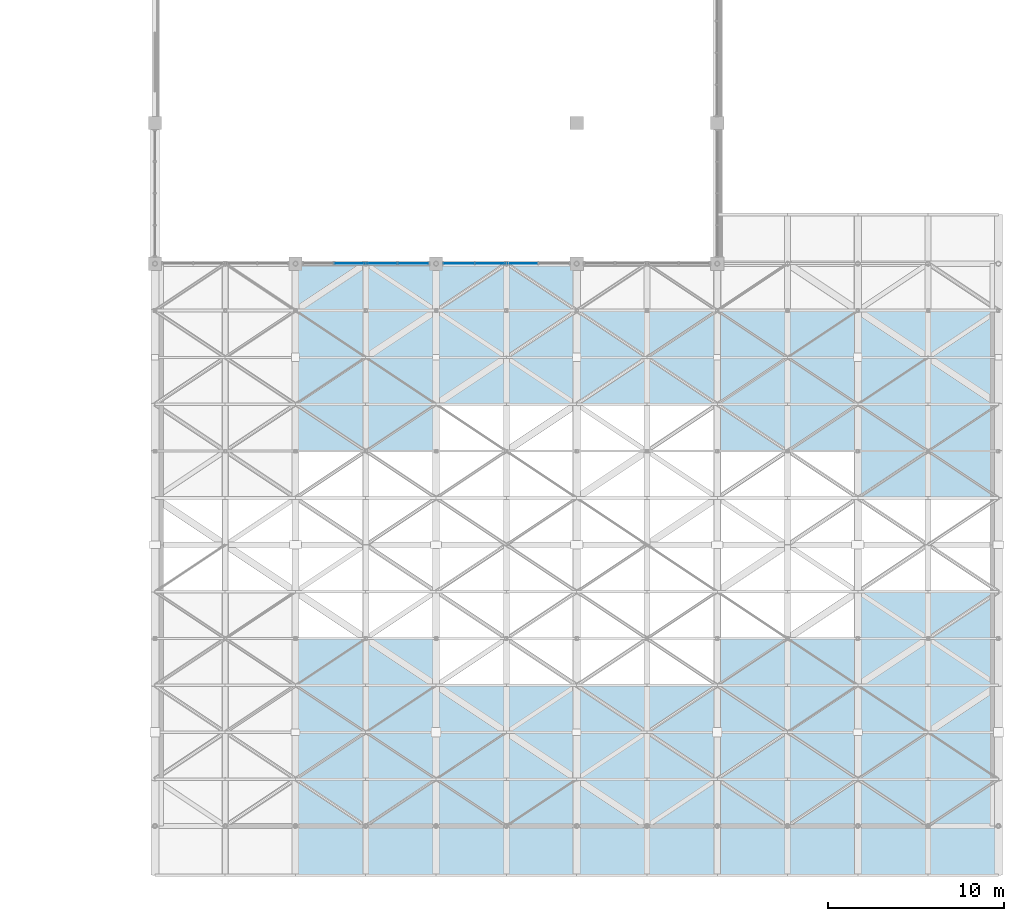
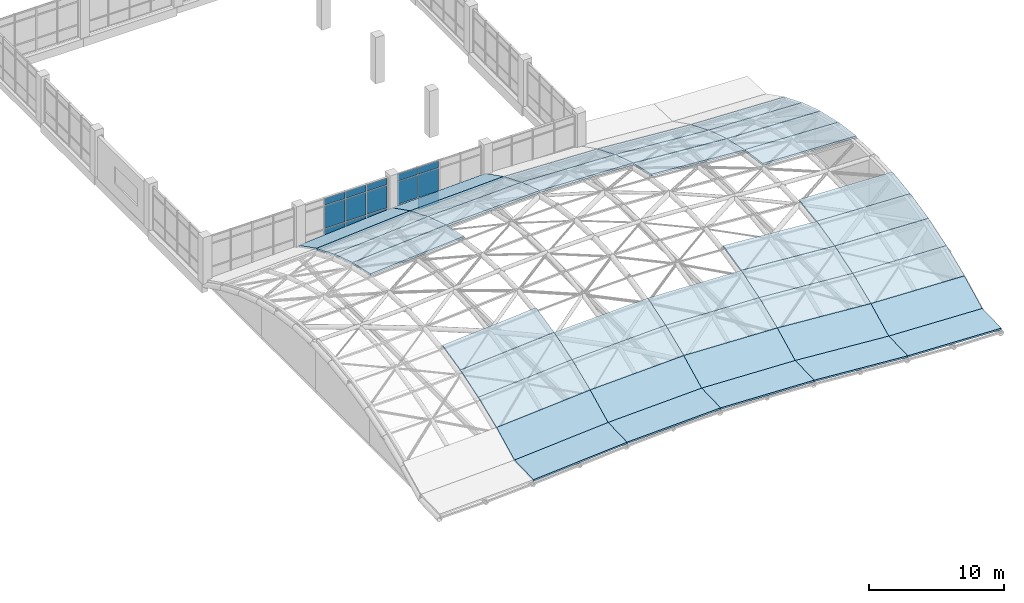
# One storey, part 58 of 72: 40 slabs, 16 plates, 2 elements without a shape of their own.
"""IFC4 building model written with IfcOpenShell, lengths in metres."""

from ifc_helpers import new_model, si_unit, direction, frame, origin, origin_2d, place, context, subcontext, project, spatial, polyline, rectangle, outline, extrude, material, layer, layer_set, type_object, element, aggregate, save


model = new_model("IFC4")

# Units and contexts
model_context = context("Model", 3, precision=1e-05, world=origin(), true_north=direction((0.0, 1.0)))
body_context = subcontext(model_context, "Body", "Model", "MODEL_VIEW")
ifc_project = project(units=[si_unit("LENGTHUNIT", "METRE"), si_unit("AREAUNIT", "SQUARE_METRE"), si_unit("VOLUMEUNIT", "CUBIC_METRE"), si_unit("PLANEANGLEUNIT", "RADIAN"), si_unit("MASSUNIT", "GRAM", prefix="KILO")], contexts=[model_context])

# Site, building, storey
site_placement = place(None, origin())
site = spatial("IfcSite", under=ifc_project, at=site_placement, CompositionType="ELEMENT")
building_placement = place(site_placement, origin())
building = spatial("IfcBuilding", under=site, at=building_placement, Name="Tenunan Teduh Sports Hall", CompositionType="ELEMENT")
storey_placement = place(building_placement, frame((0.0, 0.0, 15.0)))
storey = spatial("IfcBuildingStorey", under=building, at=storey_placement, Name="L03", CompositionType="ELEMENT", Elevation=15.0)

# Curtain wall, plates
ifc_material_1 = material(Name="Anodised aluminium", Category="aluminium")
curtain_wall_type = type_object("IfcCurtainWallType", Name="CW-CLER-1", PredefinedType="NOTDEFINED", material=ifc_material_1)
curtain_wall_1_placement = place(storey_placement, origin())
curtain_wall_1 = element("IfcCurtainWall", 1, at=curtain_wall_1_placement, inside=storey, type_object=curtain_wall_type, Name="CW-CWM-220-L03-141", PredefinedType="NOTDEFINED")
ifc_material_2 = material(Name="Solar-control laminated glazing", Category="glass")
ifc_layer_1 = layer(ifc_material_2, 0.031982421875)
ifc_layer_set_1 = layer_set([ifc_layer_1], Name="Solar-control laminated glazing")
plate_type_1 = type_object("IfcPlateType", Name="CWP-GLZ-32", PredefinedType="CURTAIN_PANEL", material=ifc_layer_set_1)
plate_1_placement = place(storey_placement, frame((133.09375, 46.0, 1.137451171875), z_axis=(0.0, 0.0, 1.0), x_axis=(1.0, 0.0, 0.0)))
plate_1 = element("IfcPlate", 2, at=plate_1_placement, type_object=plate_type_1, Name="CW-03 panel 2.2", PredefinedType="CURTAIN_PANEL", context=body_context, shape_type="SweptSolid", body=[
    extrude(rectangle(XDim=1.737548828125, YDim=0.031982421875, at=origin_2d()), origin(), (0.0, 0.0, 1.0), 2.02490234375),
])
plate_2_placement = place(storey_placement, frame((133.09375, 46.0, 3.237548828125), z_axis=(0.0, 0.0, 1.0), x_axis=(1.0, 0.0, 0.0)))
plate_2 = element("IfcPlate", 3, at=plate_2_placement, type_object=plate_type_1, Name="CW-03 panel 2.3", PredefinedType="CURTAIN_PANEL", context=body_context, shape_type="SweptSolid", body=[
    extrude(rectangle(XDim=1.737548828125, YDim=0.031982421875, at=origin_2d()), origin(), (0.0, 0.0, 1.0), 0.607421875),
])
plate_3_placement = place(storey_placement, frame((134.90625, 46.0, 1.137451171875), z_axis=(0.0, 0.0, 1.0), x_axis=(1.0, 0.0, 0.0)))
plate_3 = element("IfcPlate", 4, at=plate_3_placement, type_object=plate_type_1, Name="CW-03 panel 3.2", PredefinedType="CURTAIN_PANEL", context=body_context, shape_type="SweptSolid", body=[
    extrude(rectangle(XDim=1.737548828125, YDim=0.031982421875, at=origin_2d()), origin(), (0.0, 0.0, 1.0), 2.02490234375),
])
plate_4_placement = place(storey_placement, frame((134.90625, 46.0, 3.237548828125), z_axis=(0.0, 0.0, 1.0), x_axis=(1.0, 0.0, 0.0)))
plate_4 = element("IfcPlate", 5, at=plate_4_placement, type_object=plate_type_1, Name="CW-03 panel 3.3", PredefinedType="CURTAIN_PANEL", context=body_context, shape_type="SweptSolid", body=[
    extrude(rectangle(XDim=1.737548828125, YDim=0.031982421875, at=origin_2d()), origin(), (0.0, 0.0, 1.0), 0.607421875),
])
plate_5_placement = place(storey_placement, frame((136.699951171875, 46.0, 1.137451171875), z_axis=(0.0, 0.0, 1.0), x_axis=(1.0, 0.0, 0.0)))
plate_5 = element("IfcPlate", 6, at=plate_5_placement, type_object=plate_type_1, Name="CW-03 panel 4.2", PredefinedType="CURTAIN_PANEL", context=body_context, shape_type="SweptSolid", body=[
    extrude(rectangle(XDim=1.699951171875, YDim=0.031982421875, at=origin_2d()), origin(), (0.0, 0.0, 1.0), 2.02490234375),
])
plate_6_placement = place(storey_placement, frame((136.699951171875, 46.0, 3.237548828125), z_axis=(0.0, 0.0, 1.0), x_axis=(1.0, 0.0, 0.0)))
plate_6 = element("IfcPlate", 7, at=plate_6_placement, type_object=plate_type_1, Name="CW-03 panel 4.3", PredefinedType="CURTAIN_PANEL", context=body_context, shape_type="SweptSolid", body=[
    extrude(rectangle(XDim=1.699951171875, YDim=0.031982421875, at=origin_2d()), origin(), (0.0, 0.0, 1.0), 0.607421875),
])

curtain_wall_2_placement = place(storey_placement, origin())
curtain_wall_2 = element("IfcCurtainWall", 8, at=curtain_wall_2_placement, inside=storey, type_object=curtain_wall_type, Name="CW-CWM-150-L03-143", PredefinedType="NOTDEFINED")
plate_7_placement = place(storey_placement, frame((139.296142578125, 46.0, 1.1298828125), z_axis=(0.0, 0.0, 1.0), x_axis=(1.0, 0.0, 0.0)))
plate_7 = element("IfcPlate", 9, at=plate_7_placement, type_object=plate_type_1, Name="CW-03 panel 1.2", PredefinedType="CURTAIN_PANEL", context=body_context, shape_type="SweptSolid", body=[
    extrude(rectangle(XDim=1.722412109375, YDim=0.031982421875, at=origin_2d()), origin(), (0.0, 0.0, 1.0), 2.0400390625),
])
plate_8_placement = place(storey_placement, frame((139.296142578125, 46.0, 3.22998046875), z_axis=(0.0, 0.0, 1.0), x_axis=(1.0, 0.0, 0.0)))
plate_8 = element("IfcPlate", 10, at=plate_8_placement, type_object=plate_type_1, Name="CW-03 panel 1.3", PredefinedType="CURTAIN_PANEL", context=body_context, shape_type="SweptSolid", body=[
    extrude(rectangle(XDim=1.722412109375, YDim=0.031982421875, at=origin_2d()), origin(), (0.0, 0.0, 1.0), 0.6298828125),
])
plate_9_placement = place(storey_placement, frame((141.09375, 46.0, 1.1298828125), z_axis=(0.0, 0.0, 1.0), x_axis=(1.0, 0.0, 0.0)))
plate_9 = element("IfcPlate", 11, at=plate_9_placement, type_object=plate_type_1, Name="CW-03 panel 2.2", PredefinedType="CURTAIN_PANEL", context=body_context, shape_type="SweptSolid", body=[
    extrude(rectangle(XDim=1.75244140625, YDim=0.031982421875, at=origin_2d()), origin(), (0.0, 0.0, 1.0), 2.0400390625),
])
plate_10_placement = place(storey_placement, frame((141.09375, 46.0, 3.22998046875), z_axis=(0.0, 0.0, 1.0), x_axis=(1.0, 0.0, 0.0)))
plate_10 = element("IfcPlate", 12, at=plate_10_placement, type_object=plate_type_1, Name="CW-03 panel 2.3", PredefinedType="CURTAIN_PANEL", context=body_context, shape_type="SweptSolid", body=[
    extrude(rectangle(XDim=1.75244140625, YDim=0.031982421875, at=origin_2d()), origin(), (0.0, 0.0, 1.0), 0.6298828125),
])

# Plate
ifc_material_3 = material(Name="Insulated aluminium spandrel panel", Category="aluminium")
ifc_layer_2 = layer(ifc_material_3, 0.044921875)
ifc_layer_set_2 = layer_set([ifc_layer_2], Name="Insulated aluminium spandrel panel")
plate_type_2 = type_object("IfcPlateType", Name="CWP-SPN-45", PredefinedType="CURTAIN_PANEL", material=ifc_layer_set_2)
plate_11_placement = place(storey_placement, frame((133.09375, 46.0, 0.0751953125), z_axis=(0.0, 0.0, 1.0), x_axis=(1.0, 0.0, 0.0)))
plate_11 = element("IfcPlate", 13, at=plate_11_placement, type_object=plate_type_2, Name="CW-03 panel 2.1", PredefinedType="CURTAIN_PANEL", context=body_context, shape_type="SweptSolid", body=[
    extrude(rectangle(XDim=1.737548828125, YDim=0.031982421875, at=origin_2d()), origin(), (0.0, 0.0, 1.0), 0.987548828125),
])

plate_12_placement = place(storey_placement, frame((134.90625, 46.0, 0.0751953125), z_axis=(0.0, 0.0, 1.0), x_axis=(1.0, 0.0, 0.0)))
plate_12 = element("IfcPlate", 14, at=plate_12_placement, type_object=plate_type_2, Name="CW-03 panel 3.1", PredefinedType="CURTAIN_PANEL", context=body_context, shape_type="SweptSolid", body=[
    extrude(rectangle(XDim=1.737548828125, YDim=0.031982421875, at=origin_2d()), origin(), (0.0, 0.0, 1.0), 0.987548828125),
])

plate_13_placement = place(storey_placement, frame((136.699951171875, 46.0, 0.0751953125), z_axis=(0.0, 0.0, 1.0), x_axis=(1.0, 0.0, 0.0)))
plate_13 = element("IfcPlate", 15, at=plate_13_placement, type_object=plate_type_2, Name="CW-03 panel 4.1", PredefinedType="CURTAIN_PANEL", context=body_context, shape_type="SweptSolid", body=[
    extrude(rectangle(XDim=1.699951171875, YDim=0.031982421875, at=origin_2d()), origin(), (0.0, 0.0, 1.0), 0.987548828125),
])

aggregate(curtain_wall_1, [plate_11, plate_1, plate_2, plate_12, plate_3, plate_4, plate_13, plate_5, plate_6])

plate_14_placement = place(storey_placement, frame((139.296142578125, 46.0, 0.06005859375), z_axis=(0.0, 0.0, 1.0), x_axis=(1.0, 0.0, 0.0)))
plate_14 = element("IfcPlate", 16, at=plate_14_placement, type_object=plate_type_2, Name="CW-03 panel 1.1", PredefinedType="CURTAIN_PANEL", context=body_context, shape_type="SweptSolid", body=[
    extrude(rectangle(XDim=1.722412109375, YDim=0.031982421875, at=origin_2d()), origin(), (0.0, 0.0, 1.0), 1.010009765625),
])

plate_15_placement = place(storey_placement, frame((141.09375, 46.0, 0.06005859375), z_axis=(0.0, 0.0, 1.0), x_axis=(1.0, 0.0, 0.0)))
plate_15 = element("IfcPlate", 17, at=plate_15_placement, type_object=plate_type_2, Name="CW-03 panel 2.1", PredefinedType="CURTAIN_PANEL", context=body_context, shape_type="SweptSolid", body=[
    extrude(rectangle(XDim=1.75244140625, YDim=0.031982421875, at=origin_2d()), origin(), (0.0, 0.0, 1.0), 1.010009765625),
])

plate_16_placement = place(storey_placement, frame((142.90625, 46.0, 0.06005859375), z_axis=(0.0, 0.0, 1.0), x_axis=(1.0, 0.0, 0.0)))
plate_16 = element("IfcPlate", 18, at=plate_16_placement, type_object=plate_type_2, Name="CW-03 panel 3.1", PredefinedType="CURTAIN_PANEL", context=body_context, shape_type="SweptSolid", body=[
    extrude(rectangle(XDim=1.75244140625, YDim=0.031982421875, at=origin_2d()), origin(), (0.0, 0.0, 1.0), 1.010009765625),
])

aggregate(curtain_wall_2, [plate_14, plate_7, plate_8, plate_15, plate_9, plate_10, plate_16])

# Slabs
ifc_material_4 = material(Name="Concrete C40/50", Category="concrete")
ifc_layer_3 = layer(ifc_material_4, 0.14501953125)
ifc_layer_set_3 = layer_set([ifc_layer_3], Name="Concrete C40/50")
slab_type_1 = type_object("IfcSlabType", Name="SLB-ROOF-145", PredefinedType="ROOF", material=ifc_layer_set_3)
slab_1_placement = place(storey_placement, frame((130.0, 14.0, 0.37109375), z_axis=(-0.066593724034, -0.449024547345, 0.891034360617), x_axis=(0.997218795223, 0.0, 0.0745296884)))
element("IfcSlab", 19, at=slab_1_placement, inside=storey, type_object=slab_type_1, Name="Doubly-Curved Gridshell Roof Facet V1-2-2", PredefinedType="ROOF", context=body_context, shape_type="SweptSolid", body=[
    extrude(outline(polyline([(0.0, 0.0), (8.02231169159548, 0.0), (8.122479156108142, 2.9848172569310627), (0.10016746451266137, 2.9848172569310627), (0.0, 0.0)])), origin(), (0.0, 0.0, -1.0), 0.14501953125),
])
slab_2_placement = place(storey_placement, frame((130.0, 19.3330078125, 2.81591796875), z_axis=(-0.070996279753, -0.304859852354, 0.949747334128), x_axis=(0.997217559056, 4.40573e-06, 0.074546226542)))
element("IfcSlab", 20, at=slab_2_placement, inside=storey, type_object=slab_type_1, Name="Doubly-Curved Gridshell Roof Facet V1-2-4", PredefinedType="ROOF", context=body_context, shape_type="SweptSolid", body=[
    extrude(outline(polyline([(0.0, 0.0), (8.022329890176739, 0.0), (8.086150006985353, 2.8002565501720973), (0.06383831657095372, 2.800330771677231), (0.0, 0.0)])), origin(), (0.0, 0.0, -1.0), 0.14501953125),
])
slab_3_placement = place(storey_placement, frame((130.0, 35.3330078125, 4.281005859375), z_axis=(-0.072670108545, 0.221989133703, 0.972337328216), x_axis=(0.997218795223, 0.0, 0.0745296884)))
element("IfcSlab", 21, at=slab_3_placement, inside=storey, type_object=slab_type_1, Name="Doubly-Curved Gridshell Roof Facet V1-2-10", PredefinedType="ROOF", context=body_context, shape_type="SweptSolid", body=[
    extrude(outline(polyline([(0.0, 0.0), (8.02231169159548, 0.0), (7.9769315541759385, 2.7352387478214695), (-0.04538013741954177, 2.7352387478214695), (0.0, 0.0)])), origin(), (0.0, 0.0, -1.0), 0.14501953125),
])
slab_4_placement = place(storey_placement, frame((130.0, 40.6669921875, 2.81591796875), z_axis=(-0.068928890343, 0.380784736, 0.922090989494), x_axis=(0.997217500165, -5.342725e-06, 0.074547014263)))
element("IfcSlab", 22, at=slab_4_placement, inside=storey, type_object=slab_type_1, Name="Doubly-Curved Gridshell Roof Facet V1-2-12", PredefinedType="ROOF", context=body_context, shape_type="SweptSolid", body=[
    extrude(outline(polyline([(0.0, 0.0), (8.022329890224817, 0.0), (7.94023385094595, 2.883273135796373), (-0.08207783932421477, 2.8831804295380072), (0.0, 0.0)])), origin(), (0.0, 0.0, -1.0), 0.14501953125),
])
slab_5_placement = place(storey_placement, frame((138.0, 14.0, 0.968994140625), z_axis=(-0.033588568539, -0.449508913061, 0.892644131299), x_axis=(0.999292811149, 0.0, 0.037601563603)))
element("IfcSlab", 23, at=slab_5_placement, inside=storey, type_object=slab_type_1, Name="Doubly-Curved Gridshell Roof Facet V1-3-2", PredefinedType="ROOF", context=body_context, shape_type="SweptSolid", body=[
    extrude(outline(polyline([(0.0, 0.0), (8.00566151456586, 0.0), (8.056161075449836, 2.985631145618846), (0.05049956088397568, 2.985631145618846), (0.0, 0.0)])), origin(), (0.0, 0.0, -1.0), 0.14501953125),
])
slab_6_placement = place(storey_placement, frame((138.0, 19.3330078125, 3.4140625), z_axis=(-0.035805169817, -0.305395628727, 0.951552152942), x_axis=(0.999292811149, 0.0, 0.037601563603)))
element("IfcSlab", 24, at=slab_6_placement, inside=storey, type_object=slab_type_1, Name="Doubly-Curved Gridshell Roof Facet V1-3-4", PredefinedType="ROOF", context=body_context, shape_type="SweptSolid", body=[
    extrude(outline(polyline([(0.0, 0.0), (8.00566151456586, 0.0), (8.037846837317945, 2.8007987918684365), (0.03218532275208485, 2.8007987918684365), (0.0, 0.0)])), origin(), (0.0, 0.0, -1.0), 0.14501953125),
])
slab_7_placement = place(storey_placement, frame((138.0, 40.6669921875, 3.4140625), z_axis=(-0.034753255978, 0.381787120903, 0.923596668201), x_axis=(0.999292811149, 0.0, 0.037601563603)))
element("IfcSlab", 25, at=slab_7_placement, inside=storey, type_object=slab_type_1, Name="Doubly-Curved Gridshell Roof Facet V1-3-12", PredefinedType="ROOF", context=body_context, shape_type="SweptSolid", body=[
    extrude(outline(polyline([(0.0, 0.0), (8.00566151456586, 0.0), (7.964222682020821, 2.8845169544232503), (-0.041438832545040216, 2.8845169544232503), (0.0, 0.0)])), origin(), (0.0, 0.0, -1.0), 0.14501953125),
])
slab_8_placement = place(storey_placement, frame((146.0, 14.0, 1.27001953125), z_axis=(0.033588568539, -0.449508913061, 0.892644131299), x_axis=(0.999292811149, 0.0, -0.037601563603)))
element("IfcSlab", 26, at=slab_8_placement, inside=storey, type_object=slab_type_1, Name="Doubly-Curved Gridshell Roof Facet V1-4-2", PredefinedType="ROOF", context=body_context, shape_type="SweptSolid", body=[
    extrude(outline(polyline([(0.0, 0.0), (8.00566151456586, 0.0), (7.955161953681885, 2.9856311456188456), (-0.05049956088397568, 2.985631145618846), (0.0, 0.0)])), origin(), (0.0, 0.0, -1.0), 0.14501953125),
])
slab_9_placement = place(storey_placement, frame((146.0, 19.3330078125, 3.715087890625), z_axis=(0.035808978203, -0.305079648533, 0.951653363957), x_axis=(0.999292811149, 0.0, -0.037601563603)))
element("IfcSlab", 27, at=slab_9_placement, inside=storey, type_object=slab_type_1, Name="Doubly-Curved Gridshell Roof Facet V1-4-4", PredefinedType="ROOF", context=body_context, shape_type="SweptSolid", body=[
    extrude(outline(polyline([(0.0, 0.0), (8.00566151456586, 0.0), (7.973512912090731, 2.8005009190301835), (-0.03214860247512867, 2.8005009190301835), (0.0, 0.0)])), origin(), (0.0, 0.0, -1.0), 0.14501953125),
])
slab_10_placement = place(storey_placement, frame((146.0, 40.6669921875, 3.715087890625), z_axis=(0.034753255978, 0.381787120903, 0.923596668201), x_axis=(0.999292811149, 0.0, -0.037601563603)))
element("IfcSlab", 28, at=slab_10_placement, inside=storey, type_object=slab_type_1, Name="Doubly-Curved Gridshell Roof Facet V1-4-12", PredefinedType="ROOF", context=body_context, shape_type="SweptSolid", body=[
    extrude(outline(polyline([(0.0, 0.0), (8.00566151456586, 0.0), (8.0471003471109, 2.8845169544232503), (0.041438832545040216, 2.8845169544232503), (0.0, 0.0)])), origin(), (0.0, 0.0, -1.0), 0.14501953125),
])
slab_11_placement = place(storey_placement, frame((154.0, 14.0, 0.968994140625), z_axis=(0.06660347873, -0.448764006287, 0.891164879964), x_axis=(0.997218795223, 0.0, -0.0745296884)))
element("IfcSlab", 29, at=slab_11_placement, inside=storey, type_object=slab_type_1, Name="Doubly-Curved Gridshell Roof Facet V1-5-2", PredefinedType="ROOF", context=body_context, shape_type="SweptSolid", body=[
    extrude(outline(polyline([(0.0, 0.0), (8.02231169159548, -5.551115123125783e-17), (7.922217009981647, 2.9843801028105323), (-0.10009468161383292, 2.9843801028105323), (0.0, 0.0)])), origin(), (0.0, 0.0, -1.0), 0.14501953125),
])
slab_12_placement = place(storey_placement, frame((154.0, 19.3330078125, 3.4140625), z_axis=(0.070996279753, -0.304859852354, 0.949747334128), x_axis=(0.997217559056, -4.40573e-06, -0.074546226542)))
element("IfcSlab", 30, at=slab_12_placement, inside=storey, type_object=slab_type_1, Name="Doubly-Curved Gridshell Roof Facet V1-5-4", PredefinedType="ROOF", context=body_context, shape_type="SweptSolid", body=[
    extrude(outline(polyline([(0.0, 0.0), (8.022329890176739, 0.0), (7.9584915736057855, 2.800330771677231), (-0.0638201168086144, 2.8002565501720973), (0.0, 0.0)])), origin(), (0.0, 0.0, -1.0), 0.14501953125),
])
slab_13_placement = place(storey_placement, frame((154.0, 35.3330078125, 4.87890625), z_axis=(0.072670108545, 0.221989133703, 0.972337328216), x_axis=(0.997218795223, 0.0, -0.0745296884)))
element("IfcSlab", 31, at=slab_13_placement, inside=storey, type_object=slab_type_1, Name="Doubly-Curved Gridshell Roof Facet V1-5-10", PredefinedType="ROOF", context=body_context, shape_type="SweptSolid", body=[
    extrude(outline(polyline([(0.0, 0.0), (8.02231169159548, 0.0), (8.067691829015022, 2.73523874782147), (0.04538013741954177, 2.7352387478214695), (0.0, 0.0)])), origin(), (0.0, 0.0, -1.0), 0.14501953125),
])
slab_14_placement = place(storey_placement, frame((154.0, 40.6669921875, 3.4140625), z_axis=(0.068920022853, 0.381073468029, 0.92197236532), x_axis=(0.997217499916, 5.346089e-06, -0.074547017591)))
element("IfcSlab", 32, at=slab_14_placement, inside=storey, type_object=slab_type_1, Name="Doubly-Curved Gridshell Roof Facet V1-5-12", PredefinedType="ROOF", context=body_context, shape_type="SweptSolid", body=[
    extrude(outline(polyline([(0.0, 0.0), (8.022329890225022, 0.0), (8.104480542001918, 2.8835513596632265), (0.0821688517323623, 2.8836441362166), (0.0, 0.0)])), origin(), (0.0, 0.0, -1.0), 0.14501953125),
])
slab_15_placement = place(storey_placement, frame((162.0, 14.0, 0.37109375), z_axis=(0.033583632841, -0.449769667741, 0.892512961018), x_axis=(0.999292811149, 0.0, -0.037601563603)))
element("IfcSlab", 33, at=slab_15_placement, inside=storey, type_object=slab_type_1, Name="Doubly-Curved Gridshell Roof Facet V1-6-2", PredefinedType="ROOF", context=body_context, shape_type="SweptSolid", body=[
    extrude(outline(polyline([(0.0, 0.0), (8.00566151456586, 0.0), (7.955125233404929, 2.9860699359704874), (-0.05053628116093186, 2.986069935970488), (0.0, 0.0)])), origin(), (0.0, 0.0, -1.0), 0.14501953125),
])
slab_16_placement = place(storey_placement, frame((162.0, 19.3330078125, 2.81591796875), z_axis=(0.035674186091, -0.305436545617, 0.951543939631), x_axis=(0.999298011513, 4.431647e-06, -0.037463104069)))
element("IfcSlab", 34, at=slab_16_placement, inside=storey, type_object=slab_type_1, Name="Doubly-Curved Gridshell Roof Facet V1-6-4", PredefinedType="ROOF", context=body_context, shape_type="SweptSolid", body=[
    extrude(outline(polyline([(0.0, 0.0), (8.005615706312346, -2.7755575615628914e-17), (7.973560718140362, 2.800800284164081), (-0.032064134437625326, 2.800874801324914), (0.0, 0.0)])), origin(), (0.0, 0.0, -1.0), 0.14501953125),
])
slab_17_placement = place(storey_placement, frame((162.0, 24.6669921875, 4.281005859375), z_axis=(0.037250872164, -0.136257258298, 0.989972894621), x_axis=(0.999292811149, 0.0, -0.037601563603)))
element("IfcSlab", 35, at=slab_17_placement, inside=storey, type_object=slab_type_1, Name="Doubly-Curved Gridshell Roof Facet V1-6-6", PredefinedType="ROOF", context=body_context, shape_type="SweptSolid", body=[
    extrude(outline(polyline([(0.0, 0.0), (8.00566151456586, -6.938893903907228e-18), (7.991863870499579, 2.6911143355033755), (-0.013797644066281667, 2.6911143355033755), (0.0, 0.0)])), origin(), (0.0, 0.0, -1.0), 0.14501953125),
])
slab_18_placement = place(storey_placement, frame((162.0, 35.3330078125, 4.281005859375), z_axis=(0.036659611248, 0.222428007395, 0.974259644258), x_axis=(0.999292811149, 0.0, -0.037601563603)))
element("IfcSlab", 36, at=slab_18_placement, inside=storey, type_object=slab_type_1, Name="Doubly-Curved Gridshell Roof Facet V1-6-10", PredefinedType="ROOF", context=body_context, shape_type="SweptSolid", body=[
    extrude(outline(polyline([(0.0, 0.0), (8.00566151456586, 0.0), (8.028556607248033, 2.7355193618739486), (0.022895092682173306, 2.7355193618739486), (0.0, 0.0)])), origin(), (0.0, 0.0, -1.0), 0.14501953125),
])
slab_19_placement = place(storey_placement, frame((162.0, 40.6669921875, 2.81591796875), z_axis=(0.034631601829, 0.381463603163, 0.923734903323), x_axis=(0.999298041319, -5.372987e-06, -0.037462308885)))
element("IfcSlab", 37, at=slab_19_placement, inside=storey, type_object=slab_type_1, Name="Doubly-Curved Gridshell Roof Facet V1-6-12", PredefinedType="ROOF", context=body_context, shape_type="SweptSolid", body=[
    extrude(outline(polyline([(0.0, 0.0), (8.00561570636088, 1.3877787807814457e-17), (8.046850164382557, 2.884146919748848), (0.04122531195017044, 2.884053854314876), (0.0, 0.0)])), origin(), (0.0, 0.0, -1.0), 0.14501953125),
])
ifc_material_5 = material(Name="Concrete C40/50", Category="concrete")
ifc_layer_4 = layer(ifc_material_5, 0.159912109375)
ifc_layer_set_4 = layer_set([ifc_layer_4], Name="Concrete C40/50")
slab_type_2 = type_object("IfcSlabType", Name="SLB-ROOF-160", PredefinedType="ROOF", material=ifc_layer_set_4)
slab_20_placement = place(storey_placement, frame((130.0, 11.199951171875, 0.301025390625), z_axis=(-0.074373805498, -0.030592022211, 0.996761087339), x_axis=(0.997227835284, 0.0, 0.074408632119)))
element("IfcSlab", 38, at=slab_20_placement, inside=storey, type_object=slab_type_2, Name="Doubly-Curved Gridshell Roof Facet V1-2-1", PredefinedType="ROOF", context=body_context, shape_type="SweptSolid", body=[
    extrude(outline(polyline([(0.0, 0.0), (8.022238967805896, 0.0), (8.02863345962861, 2.801359991908353), (0.006394491822713974, 2.801359991908353), (0.0, 0.0)])), origin(), (0.0, 0.0, -1.0), 0.159912109375),
])
slab_21_placement = place(storey_placement, frame((130.0, 16.6669921875, 1.72998046875), z_axis=(-0.068904912949, -0.381109921163, 0.921958426917), x_axis=(0.997218795223, 0.0, 0.0745296884)))
element("IfcSlab", 39, at=slab_21_placement, inside=storey, type_object=slab_type_2, Name="Doubly-Curved Gridshell Roof Facet V1-2-3", PredefinedType="ROOF", context=body_context, shape_type="SweptSolid", body=[
    extrude(outline(polyline([(0.0, 0.0), (8.02231169159548, 2.7755575615628914e-17), (8.104447192923391, 2.8836450885328255), (0.08213550132791161, 2.8836450885328255), (0.0, 0.0)])), origin(), (0.0, 0.0, -1.0), 0.159912109375),
])
slab_22_placement = place(storey_placement, frame((130.0, 22.0, 3.68798828125), z_axis=(-0.072550606479, -0.222075668042, 0.972326492061), x_axis=(0.997227835284, 0.0, 0.074408632119)))
element("IfcSlab", 40, at=slab_22_placement, inside=storey, type_object=slab_type_2, Name="Doubly-Curved Gridshell Roof Facet V1-2-5", PredefinedType="ROOF", context=body_context, shape_type="SweptSolid", body=[
    extrude(outline(polyline([(0.0, 0.0), (8.022238967805896, 0.0), (8.06756356183337, 2.73529402682878), (0.04532459402747547, 2.7352940268287806), (0.0, 0.0)])), origin(), (0.0, 0.0, -1.0), 0.159912109375),
])
slab_23_placement = place(storey_placement, frame((130.0, 38.0, 3.68798828125), z_axis=(-0.070867446547, 0.304823241166, 0.949768706931), x_axis=(0.997227835284, 0.0, 0.074408632119)))
element("IfcSlab", 41, at=slab_23_placement, inside=storey, type_object=slab_type_2, Name="Doubly-Curved Gridshell Roof Facet V1-2-11", PredefinedType="ROOF", context=body_context, shape_type="SweptSolid", body=[
    extrude(outline(polyline([(0.0, 0.0), (8.022238967805896, 2.7755575615628914e-17), (7.958548375958069, 2.8002595015538154), (-0.06369059184782724, 2.8002595015538154), (0.0, 0.0)])), origin(), (0.0, 0.0, -1.0), 0.159912109375),
])
slab_24_placement = place(storey_placement, frame((130.0, 43.3330078125, 1.72998046875), z_axis=(-0.066618235873, 0.448731024142, 0.891180385007), x_axis=(0.997217891938, 6.085023e-06, 0.074541773271)))
element("IfcSlab", 42, at=slab_24_placement, inside=storey, type_object=slab_type_2, Name="Doubly-Curved Gridshell Roof Facet V1-2-13", PredefinedType="ROOF", context=body_context, shape_type="SweptSolid", body=[
    extrude(outline(polyline([(0.0, 0.0), (8.022311690857878, -5.551115123125783e-17), (7.922235206434753, 2.984270851995939), (-0.10009468309823912, 2.984380100777999), (0.0, 0.0)])), origin(), (0.0, 0.0, -1.0), 0.159912109375),
])
slab_25_placement = place(storey_placement, frame((138.0, 11.199951171875, 0.89794921875), z_axis=(-0.037583891452, -0.030655310139, 0.998823159054), x_axis=(0.999292811149, 0.0, 0.037601563603)))
element("IfcSlab", 43, at=slab_25_placement, inside=storey, type_object=slab_type_2, Name="Doubly-Curved Gridshell Roof Facet V1-3-1", PredefinedType="ROOF", context=body_context, shape_type="SweptSolid", body=[
    extrude(outline(polyline([(0.0, 0.0), (8.00566151456586, 1.734723475976807e-18), (8.008892898938004, 2.80136542634935), (0.003231384372143145, 2.8013654263493497), (0.0, 0.0)])), origin(), (0.0, 0.0, -1.0), 0.159912109375),
])
slab_26_placement = place(storey_placement, frame((138.0, 16.6669921875, 2.327880859375), z_axis=(-0.034753255978, -0.381787120903, 0.923596668201), x_axis=(0.999292811149, 0.0, 0.037601563603)))
element("IfcSlab", 44, at=slab_26_placement, inside=storey, type_object=slab_type_2, Name="Doubly-Curved Gridshell Roof Facet V1-3-3", PredefinedType="ROOF", context=body_context, shape_type="SweptSolid", body=[
    extrude(outline(polyline([(0.0, 0.0), (8.00566151456586, 0.0), (8.0471003471109, 2.8845169544232503), (0.041438832545040216, 2.8845169544232503), (0.0, 0.0)])), origin(), (0.0, 0.0, -1.0), 0.159912109375),
])
slab_27_placement = place(storey_placement, frame((138.0, 38.0, 4.284912109375), z_axis=(-0.035808978203, 0.305079648533, 0.951653363957), x_axis=(0.999292811149, 0.0, 0.037601563603)))
element("IfcSlab", 45, at=slab_27_placement, inside=storey, type_object=slab_type_2, Name="Doubly-Curved Gridshell Roof Facet V1-3-11", PredefinedType="ROOF", context=body_context, shape_type="SweptSolid", body=[
    extrude(outline(polyline([(0.0, 0.0), (8.00566151456586, 0.0), (7.973512912090731, 2.8005009190301835), (-0.03214860247512867, 2.8005009190301835), (0.0, 0.0)])), origin(), (0.0, 0.0, -1.0), 0.159912109375),
])
slab_28_placement = place(storey_placement, frame((138.0, 43.3330078125, 2.327880859375), z_axis=(-0.033583632841, 0.449769667741, 0.892512961018), x_axis=(0.999292811149, 0.0, 0.037601563603)))
element("IfcSlab", 46, at=slab_28_placement, inside=storey, type_object=slab_type_2, Name="Doubly-Curved Gridshell Roof Facet V1-3-13", PredefinedType="ROOF", context=body_context, shape_type="SweptSolid", body=[
    extrude(outline(polyline([(0.0, 0.0), (8.00566151456586, 0.0), (7.955125233404929, 2.9860699359704874), (-0.05053628116093186, 2.986069935970488), (0.0, 0.0)])), origin(), (0.0, 0.0, -1.0), 0.159912109375),
])
slab_29_placement = place(storey_placement, frame((146.0, 11.199951171875, 1.198974609375), z_axis=(0.037583891452, -0.030655310139, 0.998823159054), x_axis=(0.999292811149, 0.0, -0.037601563603)))
element("IfcSlab", 47, at=slab_29_placement, inside=storey, type_object=slab_type_2, Name="Doubly-Curved Gridshell Roof Facet V1-4-1", PredefinedType="ROOF", context=body_context, shape_type="SweptSolid", body=[
    extrude(outline(polyline([(0.0, 0.0), (8.00566151456586, -1.734723475976807e-18), (8.002430130193718, 2.8013654263493497), (-0.003231384372143145, 2.8013654263493497), (0.0, 0.0)])), origin(), (0.0, 0.0, -1.0), 0.159912109375),
])
slab_30_placement = place(storey_placement, frame((146.0, 16.6669921875, 2.62890625), z_axis=(0.034757743723, -0.381498064211, 0.923715933745), x_axis=(0.999292811149, 0.0, -0.037601563603)))
element("IfcSlab", 48, at=slab_30_placement, inside=storey, type_object=slab_type_2, Name="Doubly-Curved Gridshell Roof Facet V1-4-3", PredefinedType="ROOF", context=body_context, shape_type="SweptSolid", body=[
    extrude(outline(polyline([(0.0, 0.0), (8.00566151456586, 0.0), (7.964259402297777, 2.8841445201376104), (-0.041402112268084046, 2.8841445201376104), (0.0, 0.0)])), origin(), (0.0, 0.0, -1.0), 0.159912109375),
])
slab_31_placement = place(storey_placement, frame((146.0, 38.0, 4.5859375), z_axis=(0.035805169817, 0.305395628727, 0.951552152942), x_axis=(0.999292811149, 0.0, -0.037601563603)))
element("IfcSlab", 49, at=slab_31_placement, inside=storey, type_object=slab_type_2, Name="Doubly-Curved Gridshell Roof Facet V1-4-11", PredefinedType="ROOF", context=body_context, shape_type="SweptSolid", body=[
    extrude(outline(polyline([(0.0, 0.0), (8.00566151456586, 0.0), (8.037846837317945, 2.8007987918684365), (0.03218532275208485, 2.8007987918684365), (0.0, 0.0)])), origin(), (0.0, 0.0, -1.0), 0.159912109375),
])
slab_32_placement = place(storey_placement, frame((154.0, 11.199951171875, 0.89794921875), z_axis=(0.074373805498, -0.030592022211, 0.996761087339), x_axis=(0.997227835284, 0.0, -0.074408632119)))
element("IfcSlab", 50, at=slab_32_placement, inside=storey, type_object=slab_type_2, Name="Doubly-Curved Gridshell Roof Facet V1-5-1", PredefinedType="ROOF", context=body_context, shape_type="SweptSolid", body=[
    extrude(outline(polyline([(0.0, 0.0), (8.022238967805896, 0.0), (8.015844475983181, 2.8013599919083525), (-0.006394491822713974, 2.801359991908353), (0.0, 0.0)])), origin(), (0.0, 0.0, -1.0), 0.159912109375),
])
slab_33_placement = place(storey_placement, frame((154.0, 16.6669921875, 2.327880859375), z_axis=(0.068904912949, -0.381109921163, 0.921958426917), x_axis=(0.997218795223, 0.0, -0.0745296884)))
element("IfcSlab", 51, at=slab_33_placement, inside=storey, type_object=slab_type_2, Name="Doubly-Curved Gridshell Roof Facet V1-5-3", PredefinedType="ROOF", context=body_context, shape_type="SweptSolid", body=[
    extrude(outline(polyline([(0.0, 0.0), (8.02231169159548, -2.7755575615628914e-17), (7.940176190267568, 2.8836450885328255), (-0.08213550132791161, 2.8836450885328255), (0.0, 0.0)])), origin(), (0.0, 0.0, -1.0), 0.159912109375),
])
slab_34_placement = place(storey_placement, frame((154.0, 22.0, 4.284912109375), z_axis=(0.072544866254, -0.222414102318, 0.972249561312), x_axis=(0.997227835284, 0.0, -0.074408632119)))
element("IfcSlab", 52, at=slab_34_placement, inside=storey, type_object=slab_type_2, Name="Doubly-Curved Gridshell Roof Facet V1-5-5", PredefinedType="ROOF", context=body_context, shape_type="SweptSolid", body=[
    extrude(outline(polyline([(0.0, 0.0), (8.022238967805896, 2.7755575615628914e-17), (7.9768417090986175, 2.7355104611963856), (-0.04539725870727904, 2.735510461196385), (0.0, 0.0)])), origin(), (0.0, 0.0, -1.0), 0.159912109375),
])
slab_35_placement = place(storey_placement, frame((154.0, 38.0, 4.284912109375), z_axis=(0.070874956068, 0.304507731896, 0.949869349868), x_axis=(0.997227835284, 0.0, -0.074408632119)))
element("IfcSlab", 53, at=slab_35_placement, inside=storey, type_object=slab_type_2, Name="Doubly-Curved Gridshell Roof Facet V1-5-11", PredefinedType="ROOF", context=body_context, shape_type="SweptSolid", body=[
    extrude(outline(polyline([(0.0, 0.0), (8.022238967805896, 0.0), (8.08585689497392, 2.7999628014444853), (0.06361792716802368, 2.7999628014444853), (0.0, 0.0)])), origin(), (0.0, 0.0, -1.0), 0.159912109375),
])
slab_36_placement = place(storey_placement, frame((162.0, 11.199951171875, 0.301025390625), z_axis=(0.037583891452, -0.030655310139, 0.998823159054), x_axis=(0.999292811149, 0.0, -0.037601563603)))
element("IfcSlab", 54, at=slab_36_placement, inside=storey, type_object=slab_type_2, Name="Doubly-Curved Gridshell Roof Facet V1-6-1", PredefinedType="ROOF", context=body_context, shape_type="SweptSolid", body=[
    extrude(outline(polyline([(0.0, 0.0), (8.00566151456586, -1.734723475976807e-18), (8.002430130193718, 2.8013654263493497), (-0.003231384372143145, 2.8013654263493497), (0.0, 0.0)])), origin(), (0.0, 0.0, -1.0), 0.159912109375),
])
slab_37_placement = place(storey_placement, frame((162.0, 16.6669921875, 1.72998046875), z_axis=(0.034640647754, -0.381788614408, 0.923600281199), x_axis=(0.999297387291, 0.0, -0.037479751251)))
element("IfcSlab", 55, at=slab_37_placement, inside=storey, type_object=slab_type_2, Name="Doubly-Curved Gridshell Roof Facet V1-6-3", PredefinedType="ROOF", context=body_context, shape_type="SweptSolid", body=[
    extrude(outline(polyline([(0.0, 0.0), (8.005624853767456, 0.0), (7.9643202646206515, 2.884518879833046), (-0.041304589146803454, 2.884518879833046), (0.0, 0.0)])), origin(), (0.0, 0.0, -1.0), 0.159912109375),
])
slab_38_placement = place(storey_placement, frame((162.0, 22.0, 3.68798828125), z_axis=(0.036658883896, -0.222512777749, 0.974240314281), x_axis=(0.999292811149, 0.0, -0.037601563603)))
element("IfcSlab", 56, at=slab_38_placement, inside=storey, type_object=slab_type_2, Name="Doubly-Curved Gridshell Roof Facet V1-6-5", PredefinedType="ROOF", context=body_context, shape_type="SweptSolid", body=[
    extrude(outline(polyline([(0.0, 0.0), (8.00566151456586, 0.0), (7.982757241814448, 2.7355736375244395), (-0.02290427275141235, 2.735573637524439), (0.0, 0.0)])), origin(), (0.0, 0.0, -1.0), 0.159912109375),
])
slab_39_placement = place(storey_placement, frame((162.0, 32.6669921875, 4.6640625), z_axis=(0.037250872164, 0.136257258298, 0.989972894621), x_axis=(0.999292811149, 0.0, -0.037601563603)))
element("IfcSlab", 57, at=slab_39_placement, inside=storey, type_object=slab_type_2, Name="Doubly-Curved Gridshell Roof Facet V1-6-9", PredefinedType="ROOF", context=body_context, shape_type="SweptSolid", body=[
    extrude(outline(polyline([(0.0, 0.0), (8.00566151456586, 6.938893903907228e-18), (8.019459158632142, 2.6911143355033755), (0.013797644066281667, 2.6911143355033755), (0.0, 0.0)])), origin(), (0.0, 0.0, -1.0), 0.159912109375),
])
slab_40_placement = place(storey_placement, frame((162.0, 38.0, 3.68798828125), z_axis=(0.035805169817, 0.305395628727, 0.951552152942), x_axis=(0.999292811149, 0.0, -0.037601563603)))
element("IfcSlab", 58, at=slab_40_placement, inside=storey, type_object=slab_type_2, Name="Doubly-Curved Gridshell Roof Facet V1-6-11", PredefinedType="ROOF", context=body_context, shape_type="SweptSolid", body=[
    extrude(outline(polyline([(0.0, 0.0), (8.00566151456586, 0.0), (8.037846837317945, 2.8007987918684365), (0.03218532275208485, 2.8007987918684365), (0.0, 0.0)])), origin(), (0.0, 0.0, -1.0), 0.159912109375),
])

save(model, "model.ifc")
